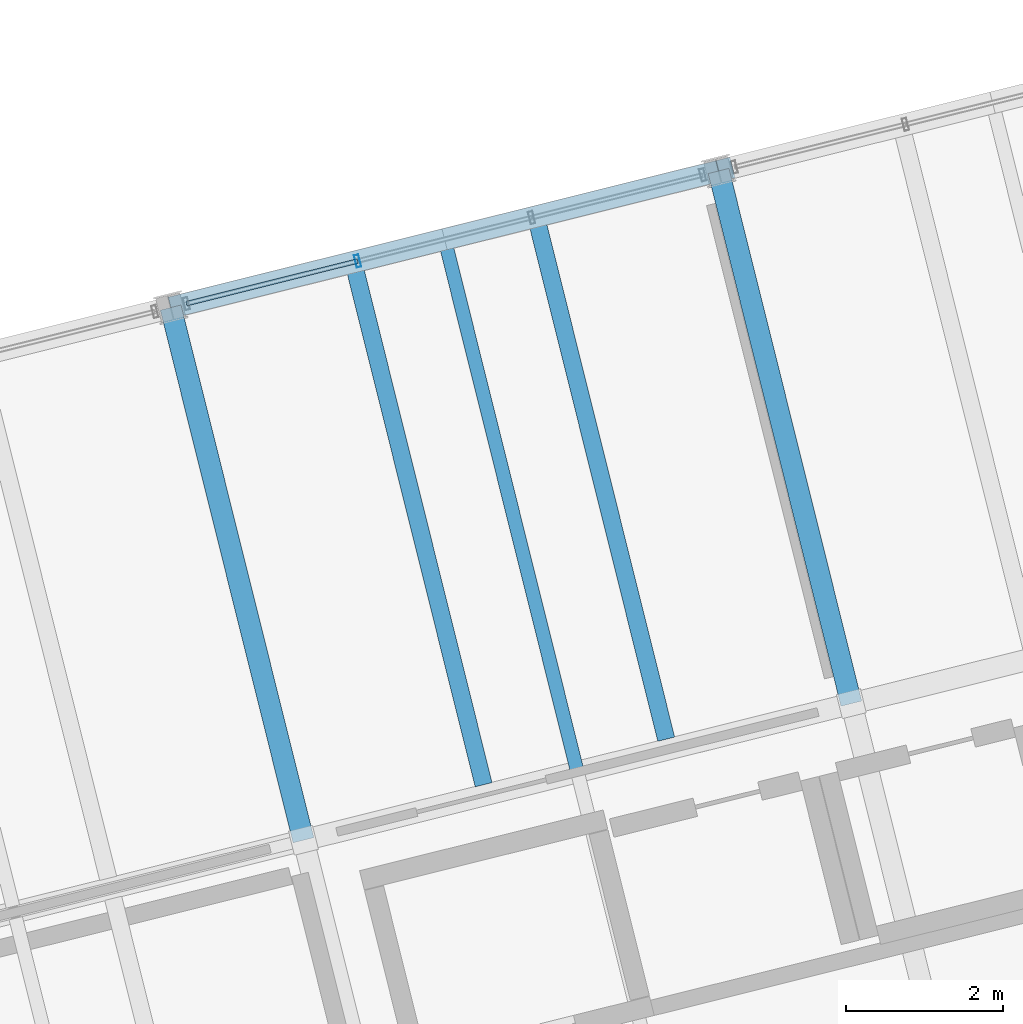
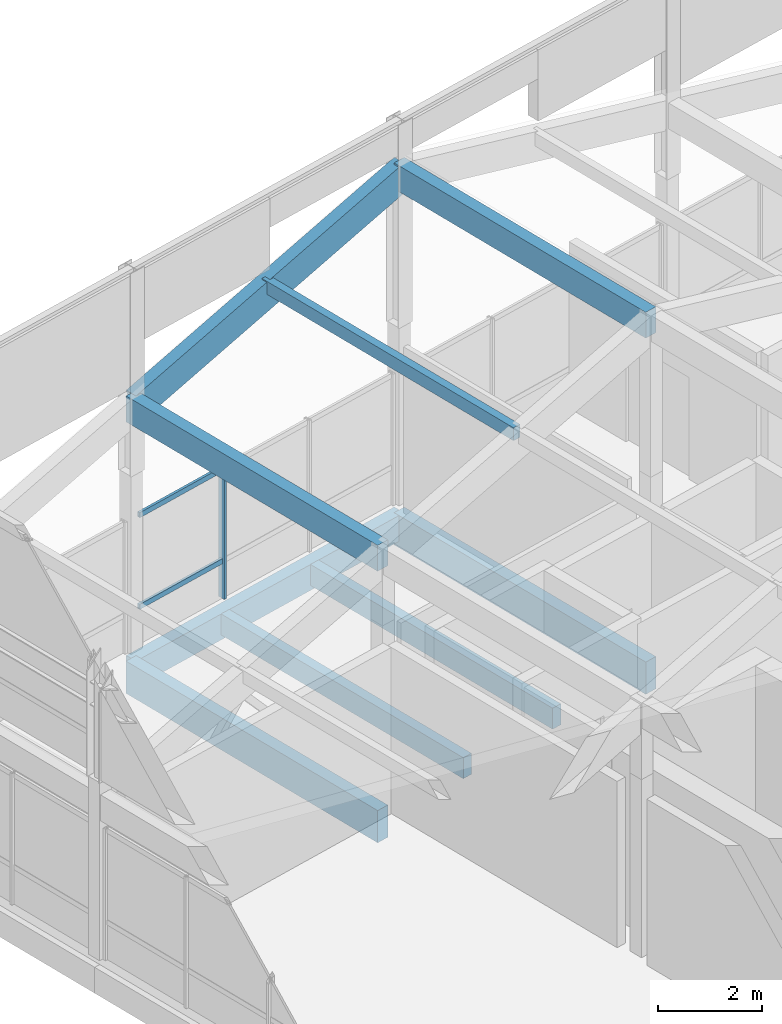
# One storey, part 16 of 31: 8 beams, 4 members, 1 element without a shape of its own.
"""IFC4 building model written with IfcOpenShell, lengths in metres."""

from ifc_helpers import new_model, si_unit, direction, frame, origin, origin_2d, place, context, subcontext, project, spatial, rectangle, hollow_rectangle, extrude, material, layer, layer_set, material_profile, profile_set, type_object, element, aggregate, save


model = new_model("IFC4")

# Units and contexts
model_context = context("Model", 3, precision=1e-05, world=origin(), true_north=direction((0.0, 1.0)))
body_context = subcontext(model_context, "Body", "Model", "MODEL_VIEW")
ifc_project = project(units=[si_unit("LENGTHUNIT", "METRE"), si_unit("AREAUNIT", "SQUARE_METRE"), si_unit("VOLUMEUNIT", "CUBIC_METRE"), si_unit("PLANEANGLEUNIT", "RADIAN"), si_unit("MASSUNIT", "GRAM", prefix="KILO")], contexts=[model_context])

# Site, building, storey
site_placement = place(None, origin())
site = spatial("IfcSite", under=ifc_project, at=site_placement, CompositionType="ELEMENT")
building_placement = place(site_placement, origin())
building = spatial("IfcBuilding", under=site, at=building_placement, Name="Meriwether Solvik Hall", CompositionType="ELEMENT")
storey_placement = place(building_placement, frame((0.0, 0.0, 61.199951171875)))
storey = spatial("IfcBuildingStorey", under=building, at=storey_placement, Name="L15", CompositionType="ELEMENT", Elevation=61.199951171875)

# Beams
ifc_material_1 = material(Name="Glulam Douglas-Fir 24F-V8 GL28h", Category="wood")
ifc_material_profile_1 = material_profile(ifc_material_1, rectangle(XDim=0.27294921875, YDim=0.610107421875, at=origin_2d()), Name="GLB-273X610")
ifc_profile_set_1 = profile_set([ifc_material_profile_1], Name="Glulam Douglas-Fir 24F-V8 GL28h")
beam_type_1 = type_object("IfcBeamType", Name="BM-GL-273X610", PredefinedType="SPANDREL", material=ifc_profile_set_1)
beam_1_placement = place(storey_placement, frame((69.200439453125, 70.206787109375, -0.550048828125), z_axis=(0.970291911955, 0.241937193493, 0.0), x_axis=(-0.241937193493, 0.970291911955, 0.0)))
element("IfcBeam", 1, at=beam_1_placement, inside=storey, type_object=beam_type_1, Name="Tower Girder TE:T2-T3 (L15)", PredefinedType="SPANDREL", context=body_context, shape_type="SweptSolid", body=[
    extrude(rectangle(XDim=0.27294921875, YDim=0.610107421875, at=origin_2d()), origin(), (0.0, 0.0, 1.0), 7.199951171875),
])
for number, where, z_axis, x_axis, name in (
    (2, (70.893798828125, 63.414794921875, 5.704345703125), (-0.241911879182, 0.970298223594, 0.0), (-0.970298223594, -0.241911879182, 0.0), "Roof Tie Beam T2:TD-TE"),
    (3, (77.880126953125, 65.15673828125, 7.698974609375), (-0.241944715397, 0.970290036376, 0.0), (-0.970290036376, -0.241944715397, 0.0), "Roof Tie Beam T3:TD-TE"),
):
    element("IfcBeam", number, at=place(storey_placement, frame(where, z_axis=z_axis, x_axis=x_axis)), inside=storey, type_object=beam_type_1, Name=name, PredefinedType="SPANDREL", context=body_context, shape_type="SweptSolid", body=[
        extrude(rectangle(XDim=0.27294921875, YDim=0.610107421875, at=origin_2d()), origin(), (0.0, 0.0, 1.0), 7.0),
    ])
ifc_material_2 = material(Name="Glulam Douglas-Fir 24F-V8 GL28h", Category="wood")
ifc_material_profile_2 = material_profile(ifc_material_2, rectangle(XDim=0.27294921875, YDim=0.68505859375, at=origin_2d()), Name="GLB-273X685")
ifc_profile_set_2 = profile_set([ifc_material_profile_2], Name="Glulam Douglas-Fir 24F-V8 GL28h")
beam_type_2 = type_object("IfcBeamType", Name="BM-GL-273X685", PredefinedType="BEAM", material=ifc_profile_set_2)
beam_2_placement = place(storey_placement, frame((69.2890625, 70.22900390625, 5.679443359375), z_axis=(0.935077230377, 0.233148449774, 0.266968862601), x_axis=(-0.241929233735, 0.970293896644, 0.0)))
element("IfcBeam", 4, at=beam_2_placement, inside=storey, type_object=beam_type_2, Name="Sloped Roof Rafter TE:T2-T3", PredefinedType="BEAM", context=body_context, shape_type="SweptSolid", body=[
    extrude(rectangle(XDim=0.27294921875, YDim=0.68505859375, at=origin_2d()), origin(), (0.0, 0.0, 1.0), 7.471435546875),
])
ifc_material_3 = material(Name="Glulam Douglas-Fir 24F-V8 GL28h", Category="wood")
ifc_material_profile_3 = material_profile(ifc_material_3, rectangle(XDim=0.27294921875, YDim=0.760009765625, at=origin_2d()), Name="GLB-273X760")
ifc_profile_set_3 = profile_set([ifc_material_profile_3], Name="Glulam Douglas-Fir 24F-V8 GL28h")
beam_type_3 = type_object("IfcBeamType", Name="BM-GL-273X760", PredefinedType="BEAM", material=ifc_profile_set_3)
for number, where, z_axis, x_axis, name in (
    (5, (70.893798828125, 63.414794921875, -0.625), (-0.241911879182, 0.970298223594, 0.0), (-0.970298223594, -0.241911879182, 0.0), "Tower Girder T2:TD-TE (L15)"),
    (6, (77.880126953125, 65.15673828125, -0.625), (-0.241944715397, 0.970290036376, 0.0), (-0.970290036376, -0.241944715397, 0.0), "Tower Girder T3:TD-TE (L15)"),
):
    element("IfcBeam", number, at=place(storey_placement, frame(where, z_axis=z_axis, x_axis=x_axis)), inside=storey, type_object=beam_type_3, Name=name, PredefinedType="BEAM", context=body_context, shape_type="SweptSolid", body=[
        extrude(rectangle(XDim=0.27294921875, YDim=0.760009765625, at=origin_2d()), origin(), (0.0, 0.0, 1.0), 7.0),
    ])

# Curtain wall, members
ifc_material_4 = material(Name="Thermally Broken Anodised Aluminium 6063-T6 and Low-E Glass", Category="aluminium")
ifc_layer = layer(ifc_material_4, 0.179931640625)
ifc_layer_set = layer_set([ifc_layer], Name="Thermally Broken Anodised Aluminium 6063-T6 and Low-E Glass")
curtain_wall_type = type_object("IfcCurtainWallType", Name="CW-UNIT-B", PredefinedType="USERDEFINED", material=ifc_layer_set)
curtain_wall_placement = place(storey_placement, origin())
curtain_wall = element("IfcCurtainWall", 7, at=curtain_wall_placement, inside=storey, type_object=curtain_wall_type, Name="Curtain Wall E2_B1 (L15)", ObjectType="UNITISED CURTAIN WALL", PredefinedType="USERDEFINED")
ifc_material_5 = material(Name="Anodised Aluminium 6063-T6", Category="aluminium")
ifc_material_profile_4 = material_profile(ifc_material_5, hollow_rectangle(XDim=0.06005859375, YDim=0.159912109375, WallThickness=0.00390625, at=origin_2d()), Name="CWM-60X160")
ifc_profile_set_4 = profile_set([ifc_material_profile_4], Name="Anodised Aluminium 6063-T6")
member_type_1 = type_object("IfcMemberType", Name="CW-MUL-60X160", PredefinedType="MULLION", material=ifc_profile_set_4)
member_1_placement = place(storey_placement, frame((71.583984375, 70.80126953125, 0.0), z_axis=(0.0, 0.0, 1.0), x_axis=(0.970295730764, 0.241921877598, 0.0)))
member_1 = element("IfcMember", 8, at=member_1_placement, type_object=member_type_1, Name="Curtain Wall Mullion 2", PredefinedType="MULLION", context=body_context, shape_type="SweptSolid", body=[
    extrude(hollow_rectangle(XDim=0.06005859375, YDim=0.159912109375, WallThickness=0.00390625, at=origin_2d()), origin(), (0.0, 0.0, 1.0), 3.10205078125),
])
ifc_material_6 = material(Name="Anodised Aluminium 6063-T6", Category="aluminium")
ifc_material_profile_5 = material_profile(ifc_material_6, hollow_rectangle(XDim=0.06005859375, YDim=0.1201171875, WallThickness=0.00390625, at=origin_2d()), Name="CWT-60X120")
ifc_profile_set_5 = profile_set([ifc_material_profile_5], Name="Anodised Aluminium 6063-T6")
member_type_2 = type_object("IfcMemberType", Name="CW-TRN-60X120", PredefinedType="USERDEFINED", material=ifc_profile_set_5)
member_2_placement = place(storey_placement, frame((69.40185546875, 70.257080078125, 0.880126953125), z_axis=(0.970282822978, 0.241973642025, 0.0), x_axis=(-0.241973642025, 0.970282822978, 0.0)))
member_2 = element("IfcMember", 9, at=member_2_placement, type_object=member_type_2, Name="Curtain Wall Transom 1-sill", ObjectType="TRANSOM", PredefinedType="USERDEFINED", context=body_context, shape_type="SweptSolid", body=[
    extrude(hollow_rectangle(XDim=0.06005859375, YDim=0.1201171875, WallThickness=0.00390625, at=origin_2d()), origin(), (0.0, 0.0, 1.0), 2.2490234375),
])
member_3_placement = place(storey_placement, frame((69.40185546875, 70.257080078125, 3.0419921875), z_axis=(0.970282822978, 0.241973642025, 0.0), x_axis=(-0.241973642025, 0.970282822978, 0.0)))
member_3 = element("IfcMember", 10, at=member_3_placement, type_object=member_type_2, Name="Curtain Wall Transom 1-head", ObjectType="TRANSOM", PredefinedType="USERDEFINED", context=body_context, shape_type="SweptSolid", body=[
    extrude(hollow_rectangle(XDim=0.06005859375, YDim=0.1201171875, WallThickness=0.00390625, at=origin_2d()), origin(), (0.0, 0.0, 1.0), 2.2490234375),
])
aggregate(curtain_wall, [member_1, member_2, member_3])

# Beams
ifc_material_7 = material(Name="Glulam Douglas-Fir 24F-V8 GL28h", Category="wood")
ifc_material_profile_6 = material_profile(ifc_material_7, rectangle(XDim=0.221923828125, YDim=0.4951171875, at=origin_2d()), Name="GLJ-222X495")
ifc_profile_set_6 = profile_set([ifc_material_profile_6], Name="Glulam Douglas-Fir 24F-V8 GL28h")
beam_type_4 = type_object("IfcBeamType", Name="JST-GL-222X495", PredefinedType="JOIST", material=ifc_profile_set_6)
beam_3_placement = place(storey_placement, frame((73.190673828125, 64.123046875, -0.492431640625), z_axis=(-0.241896058636, 0.970302167789, 0.0), x_axis=(-0.970302167789, -0.241896058636, 0.0)))
element("IfcBeam", 11, at=beam_3_placement, inside=storey, type_object=beam_type_4, Name="Glulam Floor Joist T2/TD-J1 (L15)", PredefinedType="JOIST", context=body_context, shape_type="SweptSolid", body=[
    extrude(rectangle(XDim=0.221923828125, YDim=0.4951171875, at=origin_2d()), origin(), (0.0, 0.0, 1.0), 6.73681640625),
])
beam_4_placement = place(storey_placement, frame((75.51953125, 64.70361328125, -0.492431640625), z_axis=(-0.241930176813, 0.9702936615, 0.0), x_axis=(-0.9702936615, -0.241930176813, 0.0)))
element("IfcBeam", 12, at=beam_4_placement, inside=storey, type_object=beam_type_4, Name="Glulam Floor Joist T2/TD-J2 (L15)", PredefinedType="JOIST", context=body_context, shape_type="SweptSolid", body=[
    extrude(rectangle(XDim=0.221923828125, YDim=0.4951171875, at=origin_2d()), origin(), (0.0, 0.0, 1.0), 6.737060546875),
])

# Member
ifc_material_8 = material(Name="Glulam Douglas-Fir 24F-V8 GL28h", Category="wood")
ifc_material_profile_7 = material_profile(ifc_material_8, rectangle(XDim=0.175048828125, YDim=0.304931640625, at=origin_2d()), Name="GLM-175X305")
ifc_profile_set_7 = profile_set([ifc_material_profile_7], Name="Glulam Douglas-Fir 24F-V8 GL28h")
member_type_3 = type_object("IfcMemberType", Name="MEM-PRL-GL175", PredefinedType="PURLIN", material=ifc_profile_set_7)
member_4_placement = place(storey_placement, frame((74.386962890625, 64.28564453125, 6.854248046875), z_axis=(-0.241903692719, 0.970300264582, 0.0), x_axis=(-0.970300264582, -0.241903692719, 0.0)))
element("IfcMember", 13, at=member_4_placement, inside=storey, type_object=member_type_3, Name="Tower Roof Glulam Purlin 2.4", PredefinedType="PURLIN", context=body_context, shape_type="SweptSolid", body=[
    extrude(rectangle(XDim=0.175048828125, YDim=0.304931640625, at=origin_2d()), origin(), (0.0, 0.0, 1.0), 7.000244140625),
])

save(model, "model.ifc")
